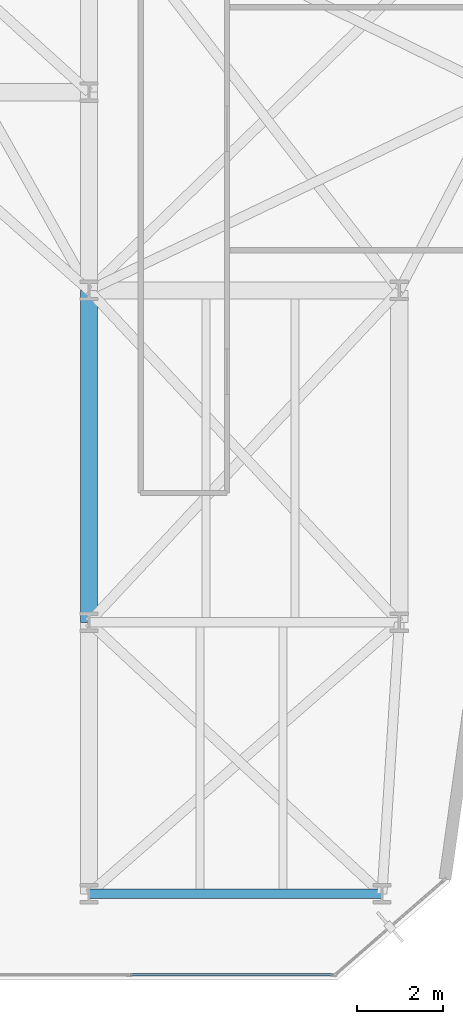
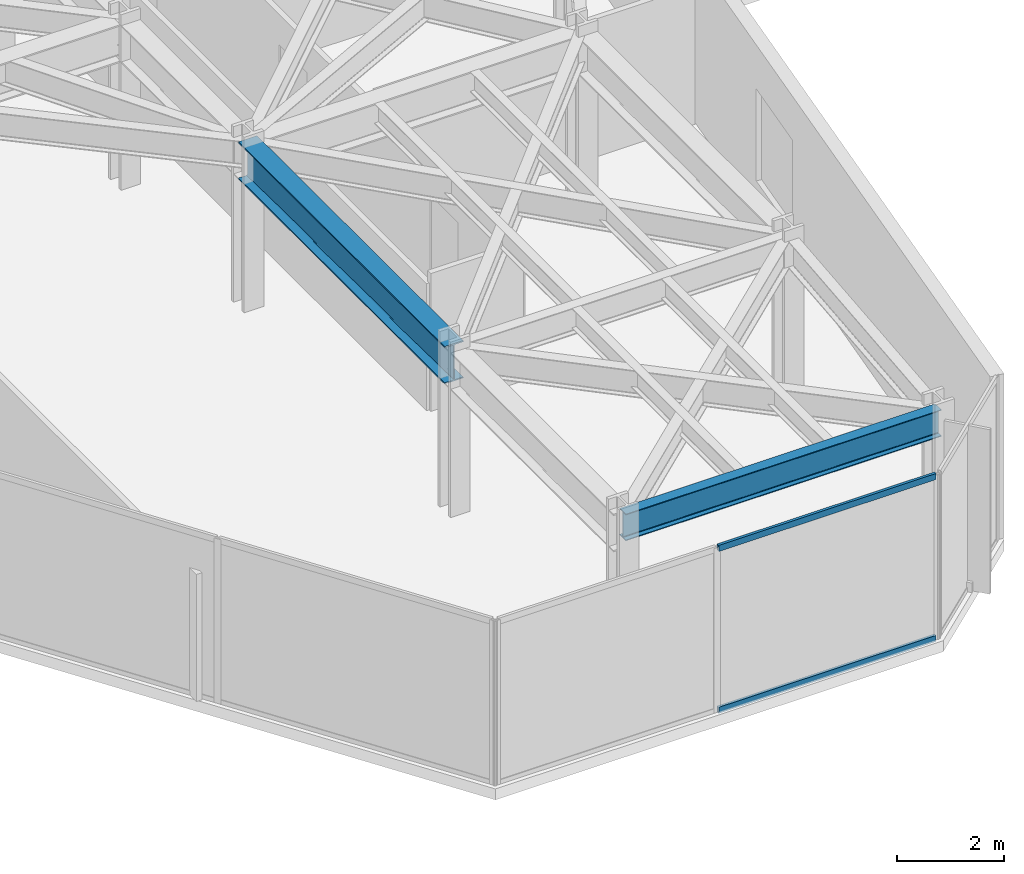
# One storey, part 18 of 26: 2 beams, 2 members, 1 element without a shape of its own.
"""IFC4 building model written with IfcOpenShell, lengths in metres."""

from ifc_helpers import new_model, si_unit, direction, frame, origin, origin_2d, place, context, subcontext, project, spatial, hollow_rectangle, i_section, extrude, material, layer, layer_set, material_profile, profile_set, type_object, element, aggregate, save


model = new_model("IFC4")

# Units and contexts
model_context = context("Model", 3, precision=1e-05, world=origin(), true_north=direction((0.0, 1.0)))
body_context = subcontext(model_context, "Body", "Model", "MODEL_VIEW")
ifc_project = project(units=[si_unit("LENGTHUNIT", "METRE"), si_unit("AREAUNIT", "SQUARE_METRE"), si_unit("VOLUMEUNIT", "CUBIC_METRE"), si_unit("PLANEANGLEUNIT", "RADIAN"), si_unit("MASSUNIT", "GRAM", prefix="KILO")], contexts=[model_context])

# Site, building, storey
site_placement = place(None, origin())
site = spatial("IfcSite", under=ifc_project, at=site_placement, CompositionType="ELEMENT")
building_placement = place(site_placement, origin())
building = spatial("IfcBuilding", under=site, at=building_placement, Name="Kravanh Interchange Tower", CompositionType="ELEMENT")
storey_placement = place(building_placement, frame((0.0, 0.0, 108.0)))
storey = spatial("IfcBuildingStorey", under=building, at=storey_placement, Name="L25", CompositionType="ELEMENT", Elevation=108.0)

# Curtain wall, members
ifc_material_1 = material(Name="Anodised Bronze Aluminium", Category="aluminium")
ifc_layer = layer(ifc_material_1, 0.179931640625)
ifc_layer_set = layer_set([ifc_layer], Name="Unitised Curtain Wall System CW-Z2 Mid Office")
curtain_wall_type = type_object("IfcCurtainWallType", Name="Unitised Curtain Wall System CW-Z2 Mid Office", PredefinedType="NOTDEFINED", material=ifc_layer_set)
curtain_wall_placement = place(storey_placement, origin())
curtain_wall = element("IfcCurtainWall", 1, at=curtain_wall_placement, inside=storey, type_object=curtain_wall_type, Name="L25 Unitised Curtain Wall CW-L25-03", PredefinedType="NOTDEFINED")
ifc_material_2 = material(Name="Anodised Bronze Aluminium", Category="aluminium")
ifc_material_profile_1 = material_profile(ifc_material_2, hollow_rectangle(XDim=0.06005859375, YDim=0.139892578125, WallThickness=0.00390625, at=origin_2d()), Name="ALU60X140X4")
ifc_profile_set_1 = profile_set([ifc_material_profile_1], Name="Anodised Bronze Aluminium")
member_type = type_object("IfcMemberType", Name="Curtain Wall Transom ALU60X140X4 Bronze", PredefinedType="USERDEFINED", material=ifc_profile_set_1)
member_1_placement = place(storey_placement, frame((61.650146484375, 6.320068359375, 0.030029296875), z_axis=(-1.0, 0.0, 0.0), x_axis=(0.0, -1.0, 0.0)))
member_1 = element("IfcMember", 2, at=member_1_placement, type_object=member_type, Name="CW-Z2 transom 1.1", ObjectType="TRANSOM", PredefinedType="USERDEFINED", context=body_context, shape_type="SweptSolid", body=[
    extrude(hollow_rectangle(XDim=0.06005859375, YDim=0.139892578125, WallThickness=0.00390625, at=origin_2d()), origin(), (0.0, 0.0, 1.0), 4.68212890625),
])
member_2_placement = place(storey_placement, frame((61.650146484375, 6.320068359375, 3.719970703125), z_axis=(-1.0, 0.0, 0.0), x_axis=(0.0, -1.0, 0.0)))
member_2 = element("IfcMember", 3, at=member_2_placement, type_object=member_type, Name="CW-Z2 transom 1.2", ObjectType="TRANSOM", PredefinedType="USERDEFINED", context=body_context, shape_type="SweptSolid", body=[
    extrude(hollow_rectangle(XDim=0.06005859375, YDim=0.139892578125, WallThickness=0.00390625, at=origin_2d()), origin(), (0.0, 0.0, 1.0), 4.68212890625),
])
aggregate(curtain_wall, [member_1, member_2])

# Beams
ifc_material_3 = material(Name="Structural Steel S355", Category="steel")
ifc_material_profile_2 = material_profile(ifc_material_3, i_section(OverallWidth=0.39990234375, OverallDepth=0.85595703125, WebThickness=0.018310546875, FlangeThickness=0.029296875, FilletRadius=0.02490234375, at=origin_2d()), Name="W33X201")
ifc_profile_set_2 = profile_set([ifc_material_profile_2], Name="Structural Steel S355")
beam_type_1 = type_object("IfcBeamType", Name="Floor Beam W33X201 Structural Steel S355", PredefinedType="BEAM", material=ifc_profile_set_2)
beam_1_placement = place(storey_placement, frame((56.0, 14.5, 3.322021484375), z_axis=(0.0, 1.0, 0.0), x_axis=(-1.0, 0.0, 0.0)))
element("IfcBeam", 4, at=beam_1_placement, inside=storey, type_object=beam_type_1, Name="L25 Primary Floor Girder 104", PredefinedType="BEAM", context=body_context, shape_type="SweptSolid", body=[
    extrude(i_section(OverallWidth=0.39990234375, OverallDepth=0.85595703125, WebThickness=0.018310546875, FlangeThickness=0.029296875, FilletRadius=0.02490234375, at=origin_2d()), origin(), (0.0, 0.0, 1.0), 7.699951171875),
])
ifc_material_4 = material(Name="Structural Steel S355", Category="steel")
ifc_material_profile_3 = material_profile(ifc_material_4, i_section(OverallWidth=0.22802734375, OverallDepth=0.60791015625, WebThickness=0.01123046875, FlangeThickness=0.017333984375, FilletRadius=0.02197265625, at=origin_2d()), Name="W24X76")
ifc_profile_set_3 = profile_set([ifc_material_profile_3], Name="Structural Steel S355")
beam_type_2 = type_object("IfcBeamType", Name="Floor Spandrel W24X76 Structural Steel S355", PredefinedType="SPANDREL", material=ifc_profile_set_3)
beam_2_placement = place(storey_placement, frame((56.0, 8.199951171875, 3.446044921875), z_axis=(1.0, 0.0, 0.0), x_axis=(0.0, 1.0, 0.0)))
element("IfcBeam", 5, at=beam_2_placement, inside=storey, type_object=beam_type_2, Name="L25 Perimeter Spandrel 96", PredefinedType="SPANDREL", context=body_context, shape_type="SweptSolid", body=[
    extrude(i_section(OverallWidth=0.22802734375, OverallDepth=0.60791015625, WebThickness=0.01123046875, FlangeThickness=0.017333984375, FilletRadius=0.02197265625, at=origin_2d()), origin(), (0.0, 0.0, 1.0), 6.800048828125),
])

save(model, "model.ifc")
